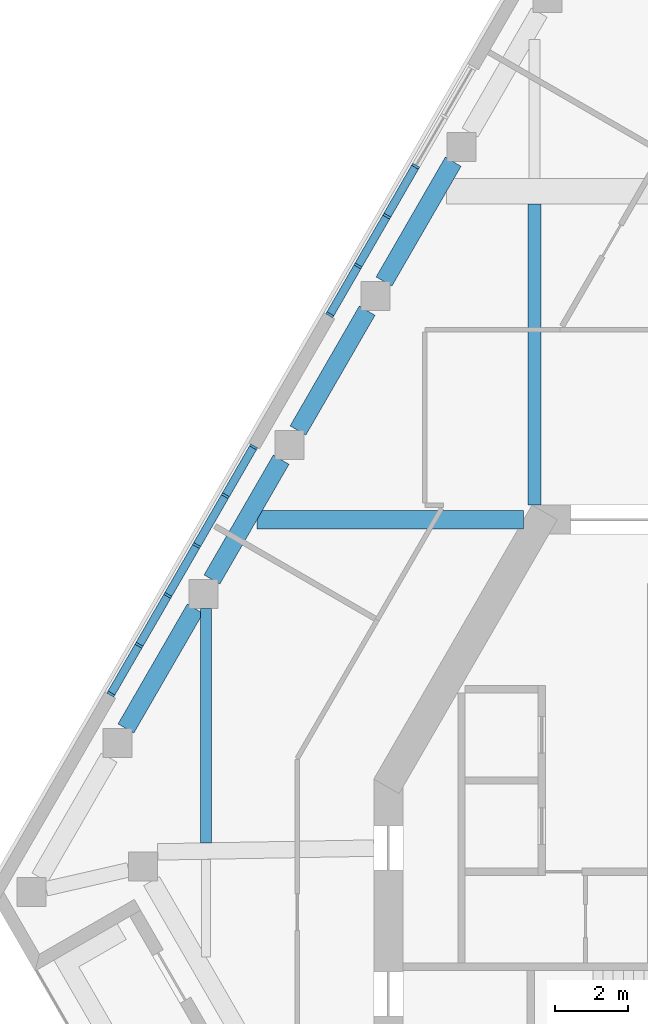
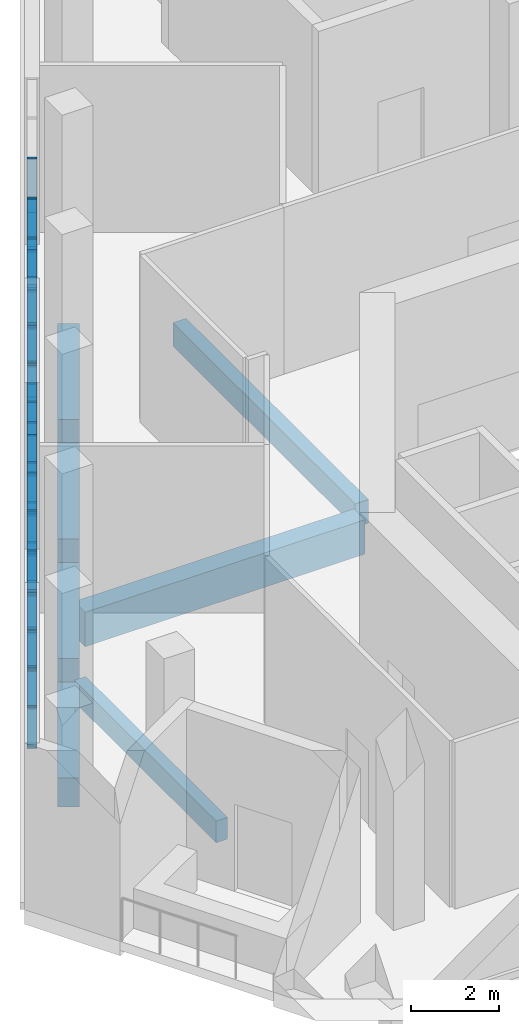
# One storey, part 2 of 13: 55 members, 7 beams, 2 elements without a shape of their own.
"""IFC4 building model written with IfcOpenShell, lengths in metres."""

from ifc_helpers import new_model, si_unit, direction, frame, origin, origin_2d, place, context, subcontext, project, spatial, rectangle, extrude, material, material_profile, profile_set, type_object, element, aggregate, save


model = new_model("IFC4")

# Units and contexts
model_context = context("Model", 3, precision=1e-05, world=origin(), true_north=direction((0.0, 1.0)))
body_context = subcontext(model_context, "Body", "Model", "MODEL_VIEW")
ifc_project = project(units=[si_unit("LENGTHUNIT", "METRE"), si_unit("AREAUNIT", "SQUARE_METRE"), si_unit("VOLUMEUNIT", "CUBIC_METRE"), si_unit("PLANEANGLEUNIT", "RADIAN"), si_unit("MASSUNIT", "GRAM", prefix="KILO")], contexts=[model_context])

# Site, building, storey
site_placement = place(None, origin())
site = spatial("IfcSite", under=ifc_project, at=site_placement, CompositionType="ELEMENT")
building_placement = place(site_placement, origin())
building = spatial("IfcBuilding", under=site, at=building_placement, Name="Fogline Exchange Tower", CompositionType="ELEMENT")
storey_placement = place(building_placement, frame((0.0, 0.0, 339.300048828125)))
storey = spatial("IfcBuildingStorey", under=building, at=storey_placement, Name="L77", CompositionType="ELEMENT", Elevation=339.300048828125)

# Beams
ifc_material_1 = material(Name="Concrete C40", Category="concrete")
ifc_material_profile_1 = material_profile(ifc_material_1, rectangle(XDim=0.300048828125, YDim=0.60009765625, at=origin_2d()), Name="RC 300x600")
ifc_profile_set_1 = profile_set([ifc_material_profile_1], Name="Concrete C40")
beam_type_1 = type_object("IfcBeamType", Name="B06", PredefinedType="BEAM", material=ifc_profile_set_1)
beam_1_placement = place(storey_placement, frame((-18.0, 9.1435546875, -0.699951171875), z_axis=(0.0, 1.0, 0.0), x_axis=(-1.0, 0.0, 0.0)))
element("IfcBeam", 1, at=beam_1_placement, inside=storey, type_object=beam_type_1, Name="SB002", PredefinedType="BEAM", context=body_context, shape_type="SweptSolid", body=[
    extrude(rectangle(XDim=0.300048828125, YDim=0.60009765625, at=origin_2d()), origin(), (0.0, 0.0, 1.0), 6.416259765625),
])
ifc_material_profile_2 = material_profile(ifc_material_1, rectangle(XDim=0.5, YDim=0.800048828125, at=origin_2d()), Name="RC 500x800")
ifc_profile_set_2 = profile_set([ifc_material_profile_2], Name="Concrete C40")
beam_type_2 = type_object("IfcBeamType", Name="B10", PredefinedType="BEAM", material=ifc_profile_set_2)
beam_2_placement = place(storey_placement, frame((-11.22509765625, 27.80810546875, -0.800048828125), z_axis=(-0.500045805297, -0.865998956469, 0.0), x_axis=(0.865998956469, -0.500045805297, 0.0)))
element("IfcBeam", 2, at=beam_2_placement, inside=storey, type_object=beam_type_2, Name="RB023", PredefinedType="BEAM", context=body_context, shape_type="SweptSolid", body=[
    extrude(rectangle(XDim=0.5, YDim=0.800048828125, at=origin_2d()), origin(), (0.0, 0.0, 1.0), 3.790771484375),
])
for number, where, z_axis, x_axis, name in (
    (3, (-13.58251953125, 23.725341796875, -0.800048828125), (-0.499997501644, -0.866026846206, 0.0), (0.866026846206, -0.499997501644, 0.0), "RB024"),
    (4, (-15.939697265625, 19.642578125, -0.800048828125), (-0.499997501644, -0.866026846206, 0.0), (0.866026846206, -0.499997501644, 0.0), "RB025"),
    (5, (-18.296875, 15.559814453125, -0.800048828125), (-0.499997501644, -0.866026846206, 0.0), (0.866026846206, -0.499997501644, 0.0), "RB026"),
):
    element("IfcBeam", number, at=place(storey_placement, frame(where, z_axis=z_axis, x_axis=x_axis)), inside=storey, type_object=beam_type_2, Name=name, PredefinedType="BEAM", context=body_context, shape_type="SweptSolid", body=[
        extrude(rectangle(XDim=0.5, YDim=0.800048828125, at=origin_2d()), origin(), (0.0, 0.0, 1.0), 3.79052734375),
    ])
ifc_material_profile_3 = material_profile(ifc_material_1, rectangle(XDim=0.5, YDim=0.949951171875, at=origin_2d()), Name="RC 500x950")
ifc_profile_set_3 = profile_set([ifc_material_profile_3], Name="Concrete C40")
beam_type_3 = type_object("IfcBeamType", Name="B14", PredefinedType="BEAM", material=ifc_profile_set_3)
beam_3_placement = place(storey_placement, frame((-16.599365234375, 18.0, -0.875), z_axis=(1.0, 0.0, 0.0), x_axis=(0.0, 1.0, 0.0)))
element("IfcBeam", 6, at=beam_3_placement, inside=storey, type_object=beam_type_3, Name="GB003", PredefinedType="BEAM", context=body_context, shape_type="SweptSolid", body=[
    extrude(rectangle(XDim=0.5, YDim=0.949951171875, at=origin_2d()), origin(), (0.0, 0.0, 1.0), 7.30322265625),
])
ifc_material_profile_4 = material_profile(ifc_material_1, rectangle(XDim=0.35009765625, YDim=0.64990234375, at=origin_2d()), Name="RC 350x650")
ifc_profile_set_4 = profile_set([ifc_material_profile_4], Name="Concrete C40")
beam_type_4 = type_object("IfcBeamType", Name="B16", PredefinedType="BEAM", material=ifc_profile_set_4)
beam_4_placement = place(storey_placement, frame((-9.0, 18.39990234375, -0.72509765625), z_axis=(0.0, 1.0, 0.0), x_axis=(-1.0, 0.0, 0.0)))
element("IfcBeam", 7, at=beam_4_placement, inside=storey, type_object=beam_type_4, Name="SB003", PredefinedType="BEAM", context=body_context, shape_type="SweptSolid", body=[
    extrude(rectangle(XDim=0.35009765625, YDim=0.64990234375, at=origin_2d()), origin(), (0.0, 0.0, 1.0), 8.25),
])

# Curtain wall, members
ifc_material_2 = material(Name="Aluminium and glass", Category="aluminium")
curtain_wall_type = type_object("IfcCurtainWallType", Name="CW5", PredefinedType="NOTDEFINED", material=ifc_material_2)
curtain_wall_1_placement = place(storey_placement, origin())
curtain_wall_1 = element("IfcCurtainWall", 8, at=curtain_wall_1_placement, inside=storey, type_object=curtain_wall_type, Name="CW5 L77 W run 2", PredefinedType="NOTDEFINED")
ifc_material_3 = material(Name="Aluminium", Category="aluminium")
ifc_material_profile_5 = material_profile(ifc_material_3, rectangle(XDim=0.219970703125, YDim=0.06494140625, at=origin_2d()), Name="Mullion 65x220")
ifc_profile_set_5 = profile_set([ifc_material_profile_5], Name="Aluminium")
member_type_1 = type_object("IfcMemberType", Name="CW5-M", PredefinedType="MULLION", material=ifc_profile_set_5)
member_1_placement = place(storey_placement, frame((-12.256103515625, 27.682861328125, 0.0), z_axis=(0.0, 0.0, 1.0), x_axis=(0.866025393993, -0.500000016959, 0.0)))
member_1 = element("IfcMember", 9, at=member_1_placement, type_object=member_type_1, Name="CW5-T25-07 mullion 3", PredefinedType="MULLION", context=body_context, shape_type="SweptSolid", body=[
    extrude(rectangle(XDim=0.219970703125, YDim=0.06494140625, at=origin_2d()), origin(), (0.0, 0.0, 1.0), 4.599853515625),
])
member_2_placement = place(storey_placement, frame((-13.04443359375, 26.317138671875, 0.0), z_axis=(0.0, 0.0, 1.0), x_axis=(0.866025393993, -0.500000016959, 0.0)))
member_2 = element("IfcMember", 10, at=member_2_placement, type_object=member_type_1, Name="CW5-T25-07 mullion 4", PredefinedType="MULLION", context=body_context, shape_type="SweptSolid", body=[
    extrude(rectangle(XDim=0.219970703125, YDim=0.06494140625, at=origin_2d()), origin(), (0.0, 0.0, 1.0), 4.599853515625),
])
member_3_placement = place(storey_placement, frame((-13.8330078125, 24.951416015625, 0.0), z_axis=(0.0, 0.0, 1.0), x_axis=(0.866025393993, -0.500000016959, 0.0)))
member_3 = element("IfcMember", 11, at=member_3_placement, type_object=member_type_1, Name="CW5-T25-07 mullion 5", PredefinedType="MULLION", context=body_context, shape_type="SweptSolid", body=[
    extrude(rectangle(XDim=0.219970703125, YDim=0.06494140625, at=origin_2d()), origin(), (0.0, 0.0, 1.0), 4.599853515625),
])
member_4_placement = place(storey_placement, frame((-14.605224609375, 23.61376953125, 0.0), z_axis=(0.0, 0.0, 1.0), x_axis=(0.866025393993, -0.500000016959, 0.0)))
member_4 = element("IfcMember", 12, at=member_4_placement, type_object=member_type_1, Name="CW5-T25-07 mullion 6", PredefinedType="MULLION", context=body_context, shape_type="SweptSolid", body=[
    extrude(rectangle(XDim=0.219970703125, YDim=0.06494140625, at=origin_2d()), origin(), (0.0, 0.0, 1.0), 4.599853515625),
])

curtain_wall_2_placement = place(storey_placement, origin())
curtain_wall_2 = element("IfcCurtainWall", 13, at=curtain_wall_2_placement, inside=storey, type_object=curtain_wall_type, Name="CW5 L77 W run 3", PredefinedType="NOTDEFINED")
member_5_placement = place(storey_placement, frame((-16.6953125, 19.993896484375, 0.0), z_axis=(0.0, 0.0, 1.0), x_axis=(0.866025393993, -0.500000016959, 0.0)))
member_5 = element("IfcMember", 14, at=member_5_placement, type_object=member_type_1, Name="CW5-T25-08 mullion 1", PredefinedType="MULLION", context=body_context, shape_type="SweptSolid", body=[
    extrude(rectangle(XDim=0.219970703125, YDim=0.06494140625, at=origin_2d()), origin(), (0.0, 0.0, 1.0), 4.599853515625),
])
member_6_placement = place(storey_placement, frame((-17.467529296875, 18.65625, 0.0), z_axis=(0.0, 0.0, 1.0), x_axis=(0.866025393993, -0.500000016959, 0.0)))
member_6 = element("IfcMember", 15, at=member_6_placement, type_object=member_type_1, Name="CW5-T25-08 mullion 2", PredefinedType="MULLION", context=body_context, shape_type="SweptSolid", body=[
    extrude(rectangle(XDim=0.219970703125, YDim=0.06494140625, at=origin_2d()), origin(), (0.0, 0.0, 1.0), 4.599853515625),
])
member_7_placement = place(storey_placement, frame((-18.256103515625, 17.29052734375, 0.0), z_axis=(0.0, 0.0, 1.0), x_axis=(0.866025393993, -0.500000016959, 0.0)))
member_7 = element("IfcMember", 16, at=member_7_placement, type_object=member_type_1, Name="CW5-T25-08 mullion 3", PredefinedType="MULLION", context=body_context, shape_type="SweptSolid", body=[
    extrude(rectangle(XDim=0.219970703125, YDim=0.06494140625, at=origin_2d()), origin(), (0.0, 0.0, 1.0), 4.599853515625),
])
member_8_placement = place(storey_placement, frame((-19.04443359375, 15.9248046875, 0.0), z_axis=(0.0, 0.0, 1.0), x_axis=(0.866025393993, -0.500000016959, 0.0)))
member_8 = element("IfcMember", 17, at=member_8_placement, type_object=member_type_1, Name="CW5-T25-08 mullion 4", PredefinedType="MULLION", context=body_context, shape_type="SweptSolid", body=[
    extrude(rectangle(XDim=0.219970703125, YDim=0.06494140625, at=origin_2d()), origin(), (0.0, 0.0, 1.0), 4.599853515625),
])
member_9_placement = place(storey_placement, frame((-19.8330078125, 14.55908203125, 0.0), z_axis=(0.0, 0.0, 1.0), x_axis=(0.866025393993, -0.500000016959, 0.0)))
member_9 = element("IfcMember", 18, at=member_9_placement, type_object=member_type_1, Name="CW5-T25-08 mullion 5", PredefinedType="MULLION", context=body_context, shape_type="SweptSolid", body=[
    extrude(rectangle(XDim=0.219970703125, YDim=0.06494140625, at=origin_2d()), origin(), (0.0, 0.0, 1.0), 4.599853515625),
])
member_10_placement = place(storey_placement, frame((-20.605224609375, 13.221435546875, 0.0), z_axis=(0.0, 0.0, 1.0), x_axis=(0.866025393993, -0.500000016959, 0.0)))
member_10 = element("IfcMember", 19, at=member_10_placement, type_object=member_type_1, Name="CW5-T25-08 mullion 6", PredefinedType="MULLION", context=body_context, shape_type="SweptSolid", body=[
    extrude(rectangle(XDim=0.219970703125, YDim=0.06494140625, at=origin_2d()), origin(), (0.0, 0.0, 1.0), 4.599853515625),
])

# Member
ifc_material_profile_6 = material_profile(ifc_material_3, rectangle(XDim=0.219970703125, YDim=0.080078125, at=origin_2d()), Name="Transom 80x220")
ifc_profile_set_6 = profile_set([ifc_material_profile_6], Name="Aluminium")
member_type_2 = type_object("IfcMemberType", Name="CW5-T", PredefinedType="USERDEFINED", material=ifc_profile_set_6)
member_11_placement = place(storey_placement, frame((-12.272216796875, 27.654541015625, 0.0400390625), z_axis=(-0.500081199194, -0.865978518332, 0.0), x_axis=(0.865978518332, -0.500081199194, 0.0)))
member_11 = element("IfcMember", 20, at=member_11_placement, type_object=member_type_2, Name="CW5-T25-07 transom 3.1", ObjectType="TRANSOM", PredefinedType="USERDEFINED", context=body_context, shape_type="SweptSolid", body=[
    extrude(rectangle(XDim=0.219970703125, YDim=0.080078125, at=origin_2d()), origin(), (0.0, 0.0, 1.0), 1.511962890625),
])

member_12_placement = place(storey_placement, frame((-12.272216796875, 27.654541015625, 1.099853515625), z_axis=(-0.500081199194, -0.865978518332, 0.0), x_axis=(0.865978518332, -0.500081199194, 0.0)))
member_12 = element("IfcMember", 21, at=member_12_placement, type_object=member_type_2, Name="CW5-T25-07 transom 3.2", ObjectType="TRANSOM", PredefinedType="USERDEFINED", context=body_context, shape_type="SweptSolid", body=[
    extrude(rectangle(XDim=0.219970703125, YDim=0.080078125, at=origin_2d()), origin(), (0.0, 0.0, 1.0), 1.511962890625),
])

member_13_placement = place(storey_placement, frame((-12.272216796875, 27.654541015625, 2.13330078125), z_axis=(-0.500081199194, -0.865978518332, 0.0), x_axis=(0.865978518332, -0.500081199194, 0.0)))
member_13 = element("IfcMember", 22, at=member_13_placement, type_object=member_type_2, Name="CW5-T25-07 transom 3.3", ObjectType="TRANSOM", PredefinedType="USERDEFINED", context=body_context, shape_type="SweptSolid", body=[
    extrude(rectangle(XDim=0.219970703125, YDim=0.080078125, at=origin_2d()), origin(), (0.0, 0.0, 1.0), 1.511962890625),
])

member_14_placement = place(storey_placement, frame((-13.060791015625, 26.288818359375, 0.0400390625), z_axis=(-0.500081199194, -0.865978518332, 0.0), x_axis=(0.865978518332, -0.500081199194, 0.0)))
member_14 = element("IfcMember", 23, at=member_14_placement, type_object=member_type_2, Name="CW5-T25-07 transom 4.1", ObjectType="TRANSOM", PredefinedType="USERDEFINED", context=body_context, shape_type="SweptSolid", body=[
    extrude(rectangle(XDim=0.219970703125, YDim=0.080078125, at=origin_2d()), origin(), (0.0, 0.0, 1.0), 1.511962890625),
])

member_15_placement = place(storey_placement, frame((-13.060791015625, 26.288818359375, 1.099853515625), z_axis=(-0.500081199194, -0.865978518332, 0.0), x_axis=(0.865978518332, -0.500081199194, 0.0)))
member_15 = element("IfcMember", 24, at=member_15_placement, type_object=member_type_2, Name="CW5-T25-07 transom 4.2", ObjectType="TRANSOM", PredefinedType="USERDEFINED", context=body_context, shape_type="SweptSolid", body=[
    extrude(rectangle(XDim=0.219970703125, YDim=0.080078125, at=origin_2d()), origin(), (0.0, 0.0, 1.0), 1.511962890625),
])

member_16_placement = place(storey_placement, frame((-13.060791015625, 26.288818359375, 2.13330078125), z_axis=(-0.500081199194, -0.865978518332, 0.0), x_axis=(0.865978518332, -0.500081199194, 0.0)))
member_16 = element("IfcMember", 25, at=member_16_placement, type_object=member_type_2, Name="CW5-T25-07 transom 4.3", ObjectType="TRANSOM", PredefinedType="USERDEFINED", context=body_context, shape_type="SweptSolid", body=[
    extrude(rectangle(XDim=0.219970703125, YDim=0.080078125, at=origin_2d()), origin(), (0.0, 0.0, 1.0), 1.511962890625),
])

member_17_placement = place(storey_placement, frame((-13.060791015625, 26.288818359375, 3.166748046875), z_axis=(-0.500081199194, -0.865978518332, 0.0), x_axis=(0.865978518332, -0.500081199194, 0.0)))
member_17 = element("IfcMember", 26, at=member_17_placement, type_object=member_type_2, Name="CW5-T25-07 transom 4.4", ObjectType="TRANSOM", PredefinedType="USERDEFINED", context=body_context, shape_type="SweptSolid", body=[
    extrude(rectangle(XDim=0.219970703125, YDim=0.080078125, at=origin_2d()), origin(), (0.0, 0.0, 1.0), 1.511962890625),
])

member_18_placement = place(storey_placement, frame((-13.060791015625, 26.288818359375, 4.199951171875), z_axis=(-0.500081199194, -0.865978518332, 0.0), x_axis=(0.865978518332, -0.500081199194, 0.0)))
member_18 = element("IfcMember", 27, at=member_18_placement, type_object=member_type_2, Name="CW5-T25-07 transom 4.5", ObjectType="TRANSOM", PredefinedType="USERDEFINED", context=body_context, shape_type="SweptSolid", body=[
    extrude(rectangle(XDim=0.219970703125, YDim=0.080078125, at=origin_2d()), origin(), (0.0, 0.0, 1.0), 1.511962890625),
])

member_19_placement = place(storey_placement, frame((-13.060791015625, 26.288818359375, 4.56005859375), z_axis=(-0.500081199194, -0.865978518332, 0.0), x_axis=(0.865978518332, -0.500081199194, 0.0)))
member_19 = element("IfcMember", 28, at=member_19_placement, type_object=member_type_2, Name="CW5-T25-07 transom 4.6", ObjectType="TRANSOM", PredefinedType="USERDEFINED", context=body_context, shape_type="SweptSolid", body=[
    extrude(rectangle(XDim=0.219970703125, YDim=0.080078125, at=origin_2d()), origin(), (0.0, 0.0, 1.0), 1.511962890625),
])

member_20_placement = place(storey_placement, frame((-13.849365234375, 24.923095703125, 0.0400390625), z_axis=(-0.500008142102, -0.866020702889, 0.0), x_axis=(0.866020702889, -0.500008142102, 0.0)))
member_20 = element("IfcMember", 29, at=member_20_placement, type_object=member_type_2, Name="CW5-T25-07 transom 5.1", ObjectType="TRANSOM", PredefinedType="USERDEFINED", context=body_context, shape_type="SweptSolid", body=[
    extrude(rectangle(XDim=0.219970703125, YDim=0.080078125, at=origin_2d()), origin(), (0.0, 0.0, 1.0), 1.4794921875),
])

member_21_placement = place(storey_placement, frame((-13.849365234375, 24.923095703125, 1.099853515625), z_axis=(-0.500008142102, -0.866020702889, 0.0), x_axis=(0.866020702889, -0.500008142102, 0.0)))
member_21 = element("IfcMember", 30, at=member_21_placement, type_object=member_type_2, Name="CW5-T25-07 transom 5.2", ObjectType="TRANSOM", PredefinedType="USERDEFINED", context=body_context, shape_type="SweptSolid", body=[
    extrude(rectangle(XDim=0.219970703125, YDim=0.080078125, at=origin_2d()), origin(), (0.0, 0.0, 1.0), 1.4794921875),
])

member_22_placement = place(storey_placement, frame((-13.849365234375, 24.923095703125, 2.13330078125), z_axis=(-0.500008142102, -0.866020702889, 0.0), x_axis=(0.866020702889, -0.500008142102, 0.0)))
member_22 = element("IfcMember", 31, at=member_22_placement, type_object=member_type_2, Name="CW5-T25-07 transom 5.3", ObjectType="TRANSOM", PredefinedType="USERDEFINED", context=body_context, shape_type="SweptSolid", body=[
    extrude(rectangle(XDim=0.219970703125, YDim=0.080078125, at=origin_2d()), origin(), (0.0, 0.0, 1.0), 1.4794921875),
])

member_23_placement = place(storey_placement, frame((-13.849365234375, 24.923095703125, 3.166748046875), z_axis=(-0.500008142102, -0.866020702889, 0.0), x_axis=(0.866020702889, -0.500008142102, 0.0)))
member_23 = element("IfcMember", 32, at=member_23_placement, type_object=member_type_2, Name="CW5-T25-07 transom 5.4", ObjectType="TRANSOM", PredefinedType="USERDEFINED", context=body_context, shape_type="SweptSolid", body=[
    extrude(rectangle(XDim=0.219970703125, YDim=0.080078125, at=origin_2d()), origin(), (0.0, 0.0, 1.0), 1.4794921875),
])

member_24_placement = place(storey_placement, frame((-13.849365234375, 24.923095703125, 4.199951171875), z_axis=(-0.500008142102, -0.866020702889, 0.0), x_axis=(0.866020702889, -0.500008142102, 0.0)))
member_24 = element("IfcMember", 33, at=member_24_placement, type_object=member_type_2, Name="CW5-T25-07 transom 5.5", ObjectType="TRANSOM", PredefinedType="USERDEFINED", context=body_context, shape_type="SweptSolid", body=[
    extrude(rectangle(XDim=0.219970703125, YDim=0.080078125, at=origin_2d()), origin(), (0.0, 0.0, 1.0), 1.4794921875),
])

member_25_placement = place(storey_placement, frame((-13.849365234375, 24.923095703125, 4.56005859375), z_axis=(-0.500008142102, -0.866020702889, 0.0), x_axis=(0.866020702889, -0.500008142102, 0.0)))
member_25 = element("IfcMember", 34, at=member_25_placement, type_object=member_type_2, Name="CW5-T25-07 transom 5.6", ObjectType="TRANSOM", PredefinedType="USERDEFINED", context=body_context, shape_type="SweptSolid", body=[
    extrude(rectangle(XDim=0.219970703125, YDim=0.080078125, at=origin_2d()), origin(), (0.0, 0.0, 1.0), 1.4794921875),
])

aggregate(curtain_wall_1, [member_1, member_2, member_3, member_4, member_11, member_12, member_13, member_14, member_15, member_16, member_17, member_18, member_19, member_20, member_21, member_22, member_23, member_24, member_25])

member_26_placement = place(storey_placement, frame((-16.71142578125, 19.965576171875, 0.0400390625), z_axis=(-0.500008142102, -0.866020702889, 0.0), x_axis=(0.866020702889, -0.500008142102, 0.0)))
member_26 = element("IfcMember", 35, at=member_26_placement, type_object=member_type_2, Name="CW5-T25-08 transom 1.1", ObjectType="TRANSOM", PredefinedType="USERDEFINED", context=body_context, shape_type="SweptSolid", body=[
    extrude(rectangle(XDim=0.219970703125, YDim=0.080078125, at=origin_2d()), origin(), (0.0, 0.0, 1.0), 1.4794921875),
])

member_27_placement = place(storey_placement, frame((-16.71142578125, 19.965576171875, 1.099853515625), z_axis=(-0.500008142102, -0.866020702889, 0.0), x_axis=(0.866020702889, -0.500008142102, 0.0)))
member_27 = element("IfcMember", 36, at=member_27_placement, type_object=member_type_2, Name="CW5-T25-08 transom 1.2", ObjectType="TRANSOM", PredefinedType="USERDEFINED", context=body_context, shape_type="SweptSolid", body=[
    extrude(rectangle(XDim=0.219970703125, YDim=0.080078125, at=origin_2d()), origin(), (0.0, 0.0, 1.0), 1.4794921875),
])

member_28_placement = place(storey_placement, frame((-16.71142578125, 19.965576171875, 2.13330078125), z_axis=(-0.500008142102, -0.866020702889, 0.0), x_axis=(0.866020702889, -0.500008142102, 0.0)))
member_28 = element("IfcMember", 37, at=member_28_placement, type_object=member_type_2, Name="CW5-T25-08 transom 1.3", ObjectType="TRANSOM", PredefinedType="USERDEFINED", context=body_context, shape_type="SweptSolid", body=[
    extrude(rectangle(XDim=0.219970703125, YDim=0.080078125, at=origin_2d()), origin(), (0.0, 0.0, 1.0), 1.4794921875),
])

member_29_placement = place(storey_placement, frame((-16.71142578125, 19.965576171875, 3.166748046875), z_axis=(-0.500008142102, -0.866020702889, 0.0), x_axis=(0.866020702889, -0.500008142102, 0.0)))
member_29 = element("IfcMember", 38, at=member_29_placement, type_object=member_type_2, Name="CW5-T25-08 transom 1.4", ObjectType="TRANSOM", PredefinedType="USERDEFINED", context=body_context, shape_type="SweptSolid", body=[
    extrude(rectangle(XDim=0.219970703125, YDim=0.080078125, at=origin_2d()), origin(), (0.0, 0.0, 1.0), 1.4794921875),
])

member_30_placement = place(storey_placement, frame((-16.71142578125, 19.965576171875, 4.199951171875), z_axis=(-0.500008142102, -0.866020702889, 0.0), x_axis=(0.866020702889, -0.500008142102, 0.0)))
member_30 = element("IfcMember", 39, at=member_30_placement, type_object=member_type_2, Name="CW5-T25-08 transom 1.5", ObjectType="TRANSOM", PredefinedType="USERDEFINED", context=body_context, shape_type="SweptSolid", body=[
    extrude(rectangle(XDim=0.219970703125, YDim=0.080078125, at=origin_2d()), origin(), (0.0, 0.0, 1.0), 1.4794921875),
])

member_31_placement = place(storey_placement, frame((-16.71142578125, 19.965576171875, 4.56005859375), z_axis=(-0.500008142102, -0.866020702889, 0.0), x_axis=(0.866020702889, -0.500008142102, 0.0)))
member_31 = element("IfcMember", 40, at=member_31_placement, type_object=member_type_2, Name="CW5-T25-08 transom 1.6", ObjectType="TRANSOM", PredefinedType="USERDEFINED", context=body_context, shape_type="SweptSolid", body=[
    extrude(rectangle(XDim=0.219970703125, YDim=0.080078125, at=origin_2d()), origin(), (0.0, 0.0, 1.0), 1.4794921875),
])

member_32_placement = place(storey_placement, frame((-17.48388671875, 18.628173828125, 0.0400390625), z_axis=(-0.499890179513, -0.866088799389, 0.0), x_axis=(0.866088799389, -0.499890179513, 0.0)))
member_32 = element("IfcMember", 41, at=member_32_placement, type_object=member_type_2, Name="CW5-T25-08 transom 2.1", ObjectType="TRANSOM", PredefinedType="USERDEFINED", context=body_context, shape_type="SweptSolid", body=[
    extrude(rectangle(XDim=0.219970703125, YDim=0.080078125, at=origin_2d()), origin(), (0.0, 0.0, 1.0), 1.511962890625),
])

member_33_placement = place(storey_placement, frame((-17.48388671875, 18.628173828125, 1.099853515625), z_axis=(-0.499890179513, -0.866088799389, 0.0), x_axis=(0.866088799389, -0.499890179513, 0.0)))
member_33 = element("IfcMember", 42, at=member_33_placement, type_object=member_type_2, Name="CW5-T25-08 transom 2.2", ObjectType="TRANSOM", PredefinedType="USERDEFINED", context=body_context, shape_type="SweptSolid", body=[
    extrude(rectangle(XDim=0.219970703125, YDim=0.080078125, at=origin_2d()), origin(), (0.0, 0.0, 1.0), 1.511962890625),
])

member_34_placement = place(storey_placement, frame((-17.48388671875, 18.628173828125, 2.13330078125), z_axis=(-0.499890179513, -0.866088799389, 0.0), x_axis=(0.866088799389, -0.499890179513, 0.0)))
member_34 = element("IfcMember", 43, at=member_34_placement, type_object=member_type_2, Name="CW5-T25-08 transom 2.3", ObjectType="TRANSOM", PredefinedType="USERDEFINED", context=body_context, shape_type="SweptSolid", body=[
    extrude(rectangle(XDim=0.219970703125, YDim=0.080078125, at=origin_2d()), origin(), (0.0, 0.0, 1.0), 1.511962890625),
])

member_35_placement = place(storey_placement, frame((-17.48388671875, 18.628173828125, 3.166748046875), z_axis=(-0.499890179513, -0.866088799389, 0.0), x_axis=(0.866088799389, -0.499890179513, 0.0)))
member_35 = element("IfcMember", 44, at=member_35_placement, type_object=member_type_2, Name="CW5-T25-08 transom 2.4", ObjectType="TRANSOM", PredefinedType="USERDEFINED", context=body_context, shape_type="SweptSolid", body=[
    extrude(rectangle(XDim=0.219970703125, YDim=0.080078125, at=origin_2d()), origin(), (0.0, 0.0, 1.0), 1.511962890625),
])

member_36_placement = place(storey_placement, frame((-17.48388671875, 18.628173828125, 4.199951171875), z_axis=(-0.499890179513, -0.866088799389, 0.0), x_axis=(0.866088799389, -0.499890179513, 0.0)))
member_36 = element("IfcMember", 45, at=member_36_placement, type_object=member_type_2, Name="CW5-T25-08 transom 2.5", ObjectType="TRANSOM", PredefinedType="USERDEFINED", context=body_context, shape_type="SweptSolid", body=[
    extrude(rectangle(XDim=0.219970703125, YDim=0.080078125, at=origin_2d()), origin(), (0.0, 0.0, 1.0), 1.511962890625),
])

member_37_placement = place(storey_placement, frame((-17.48388671875, 18.628173828125, 4.56005859375), z_axis=(-0.499890179513, -0.866088799389, 0.0), x_axis=(0.866088799389, -0.499890179513, 0.0)))
member_37 = element("IfcMember", 46, at=member_37_placement, type_object=member_type_2, Name="CW5-T25-08 transom 2.6", ObjectType="TRANSOM", PredefinedType="USERDEFINED", context=body_context, shape_type="SweptSolid", body=[
    extrude(rectangle(XDim=0.219970703125, YDim=0.080078125, at=origin_2d()), origin(), (0.0, 0.0, 1.0), 1.511962890625),
])

member_38_placement = place(storey_placement, frame((-18.272216796875, 17.262451171875, 0.0400390625), z_axis=(-0.500011280007, -0.866018891171, 0.0), x_axis=(0.866018891171, -0.500011280007, 0.0)))
member_38 = element("IfcMember", 47, at=member_38_placement, type_object=member_type_2, Name="CW5-T25-08 transom 3.1", ObjectType="TRANSOM", PredefinedType="USERDEFINED", context=body_context, shape_type="SweptSolid", body=[
    extrude(rectangle(XDim=0.219970703125, YDim=0.080078125, at=origin_2d()), origin(), (0.0, 0.0, 1.0), 1.51220703125),
])

member_39_placement = place(storey_placement, frame((-18.272216796875, 17.262451171875, 1.099853515625), z_axis=(-0.500011280007, -0.866018891171, 0.0), x_axis=(0.866018891171, -0.500011280007, 0.0)))
member_39 = element("IfcMember", 48, at=member_39_placement, type_object=member_type_2, Name="CW5-T25-08 transom 3.2", ObjectType="TRANSOM", PredefinedType="USERDEFINED", context=body_context, shape_type="SweptSolid", body=[
    extrude(rectangle(XDim=0.219970703125, YDim=0.080078125, at=origin_2d()), origin(), (0.0, 0.0, 1.0), 1.51220703125),
])

member_40_placement = place(storey_placement, frame((-18.272216796875, 17.262451171875, 2.13330078125), z_axis=(-0.500011280007, -0.866018891171, 0.0), x_axis=(0.866018891171, -0.500011280007, 0.0)))
member_40 = element("IfcMember", 49, at=member_40_placement, type_object=member_type_2, Name="CW5-T25-08 transom 3.3", ObjectType="TRANSOM", PredefinedType="USERDEFINED", context=body_context, shape_type="SweptSolid", body=[
    extrude(rectangle(XDim=0.219970703125, YDim=0.080078125, at=origin_2d()), origin(), (0.0, 0.0, 1.0), 1.51220703125),
])

member_41_placement = place(storey_placement, frame((-18.272216796875, 17.262451171875, 3.166748046875), z_axis=(-0.500011280007, -0.866018891171, 0.0), x_axis=(0.866018891171, -0.500011280007, 0.0)))
member_41 = element("IfcMember", 50, at=member_41_placement, type_object=member_type_2, Name="CW5-T25-08 transom 3.4", ObjectType="TRANSOM", PredefinedType="USERDEFINED", context=body_context, shape_type="SweptSolid", body=[
    extrude(rectangle(XDim=0.219970703125, YDim=0.080078125, at=origin_2d()), origin(), (0.0, 0.0, 1.0), 1.51220703125),
])

member_42_placement = place(storey_placement, frame((-18.272216796875, 17.262451171875, 4.199951171875), z_axis=(-0.500011280007, -0.866018891171, 0.0), x_axis=(0.866018891171, -0.500011280007, 0.0)))
member_42 = element("IfcMember", 51, at=member_42_placement, type_object=member_type_2, Name="CW5-T25-08 transom 3.5", ObjectType="TRANSOM", PredefinedType="USERDEFINED", context=body_context, shape_type="SweptSolid", body=[
    extrude(rectangle(XDim=0.219970703125, YDim=0.080078125, at=origin_2d()), origin(), (0.0, 0.0, 1.0), 1.51220703125),
])

member_43_placement = place(storey_placement, frame((-18.272216796875, 17.262451171875, 4.56005859375), z_axis=(-0.500011280007, -0.866018891171, 0.0), x_axis=(0.866018891171, -0.500011280007, 0.0)))
member_43 = element("IfcMember", 52, at=member_43_placement, type_object=member_type_2, Name="CW5-T25-08 transom 3.6", ObjectType="TRANSOM", PredefinedType="USERDEFINED", context=body_context, shape_type="SweptSolid", body=[
    extrude(rectangle(XDim=0.219970703125, YDim=0.080078125, at=origin_2d()), origin(), (0.0, 0.0, 1.0), 1.51220703125),
])

member_44_placement = place(storey_placement, frame((-19.060791015625, 15.896728515625, 0.0400390625), z_axis=(-0.500011280007, -0.866018891171, 0.0), x_axis=(0.866018891171, -0.500011280007, 0.0)))
member_44 = element("IfcMember", 53, at=member_44_placement, type_object=member_type_2, Name="CW5-T25-08 transom 4.1", ObjectType="TRANSOM", PredefinedType="USERDEFINED", context=body_context, shape_type="SweptSolid", body=[
    extrude(rectangle(XDim=0.219970703125, YDim=0.080078125, at=origin_2d()), origin(), (0.0, 0.0, 1.0), 1.51220703125),
])

member_45_placement = place(storey_placement, frame((-19.060791015625, 15.896728515625, 1.099853515625), z_axis=(-0.500011280007, -0.866018891171, 0.0), x_axis=(0.866018891171, -0.500011280007, 0.0)))
member_45 = element("IfcMember", 54, at=member_45_placement, type_object=member_type_2, Name="CW5-T25-08 transom 4.2", ObjectType="TRANSOM", PredefinedType="USERDEFINED", context=body_context, shape_type="SweptSolid", body=[
    extrude(rectangle(XDim=0.219970703125, YDim=0.080078125, at=origin_2d()), origin(), (0.0, 0.0, 1.0), 1.51220703125),
])

member_46_placement = place(storey_placement, frame((-19.060791015625, 15.896728515625, 2.13330078125), z_axis=(-0.500011280007, -0.866018891171, 0.0), x_axis=(0.866018891171, -0.500011280007, 0.0)))
member_46 = element("IfcMember", 55, at=member_46_placement, type_object=member_type_2, Name="CW5-T25-08 transom 4.3", ObjectType="TRANSOM", PredefinedType="USERDEFINED", context=body_context, shape_type="SweptSolid", body=[
    extrude(rectangle(XDim=0.219970703125, YDim=0.080078125, at=origin_2d()), origin(), (0.0, 0.0, 1.0), 1.51220703125),
])

member_47_placement = place(storey_placement, frame((-19.060791015625, 15.896728515625, 3.166748046875), z_axis=(-0.500011280007, -0.866018891171, 0.0), x_axis=(0.866018891171, -0.500011280007, 0.0)))
member_47 = element("IfcMember", 56, at=member_47_placement, type_object=member_type_2, Name="CW5-T25-08 transom 4.4", ObjectType="TRANSOM", PredefinedType="USERDEFINED", context=body_context, shape_type="SweptSolid", body=[
    extrude(rectangle(XDim=0.219970703125, YDim=0.080078125, at=origin_2d()), origin(), (0.0, 0.0, 1.0), 1.51220703125),
])

member_48_placement = place(storey_placement, frame((-19.060791015625, 15.896728515625, 4.199951171875), z_axis=(-0.500011280007, -0.866018891171, 0.0), x_axis=(0.866018891171, -0.500011280007, 0.0)))
member_48 = element("IfcMember", 57, at=member_48_placement, type_object=member_type_2, Name="CW5-T25-08 transom 4.5", ObjectType="TRANSOM", PredefinedType="USERDEFINED", context=body_context, shape_type="SweptSolid", body=[
    extrude(rectangle(XDim=0.219970703125, YDim=0.080078125, at=origin_2d()), origin(), (0.0, 0.0, 1.0), 1.51220703125),
])

member_49_placement = place(storey_placement, frame((-19.060791015625, 15.896728515625, 4.56005859375), z_axis=(-0.500011280007, -0.866018891171, 0.0), x_axis=(0.866018891171, -0.500011280007, 0.0)))
member_49 = element("IfcMember", 58, at=member_49_placement, type_object=member_type_2, Name="CW5-T25-08 transom 4.6", ObjectType="TRANSOM", PredefinedType="USERDEFINED", context=body_context, shape_type="SweptSolid", body=[
    extrude(rectangle(XDim=0.219970703125, YDim=0.080078125, at=origin_2d()), origin(), (0.0, 0.0, 1.0), 1.51220703125),
])

member_50_placement = place(storey_placement, frame((-19.849365234375, 14.531005859375, 0.0400390625), z_axis=(-0.499936694431, -0.866061950187, 0.0), x_axis=(0.866061950187, -0.499936694431, 0.0)))
member_50 = element("IfcMember", 59, at=member_50_placement, type_object=member_type_2, Name="CW5-T25-08 transom 5.1", ObjectType="TRANSOM", PredefinedType="USERDEFINED", context=body_context, shape_type="SweptSolid", body=[
    extrude(rectangle(XDim=0.219970703125, YDim=0.080078125, at=origin_2d()), origin(), (0.0, 0.0, 1.0), 1.479736328125),
])

member_51_placement = place(storey_placement, frame((-19.849365234375, 14.531005859375, 1.099853515625), z_axis=(-0.499936694431, -0.866061950187, 0.0), x_axis=(0.866061950187, -0.499936694431, 0.0)))
member_51 = element("IfcMember", 60, at=member_51_placement, type_object=member_type_2, Name="CW5-T25-08 transom 5.2", ObjectType="TRANSOM", PredefinedType="USERDEFINED", context=body_context, shape_type="SweptSolid", body=[
    extrude(rectangle(XDim=0.219970703125, YDim=0.080078125, at=origin_2d()), origin(), (0.0, 0.0, 1.0), 1.479736328125),
])

member_52_placement = place(storey_placement, frame((-19.849365234375, 14.531005859375, 2.13330078125), z_axis=(-0.499936694431, -0.866061950187, 0.0), x_axis=(0.866061950187, -0.499936694431, 0.0)))
member_52 = element("IfcMember", 61, at=member_52_placement, type_object=member_type_2, Name="CW5-T25-08 transom 5.3", ObjectType="TRANSOM", PredefinedType="USERDEFINED", context=body_context, shape_type="SweptSolid", body=[
    extrude(rectangle(XDim=0.219970703125, YDim=0.080078125, at=origin_2d()), origin(), (0.0, 0.0, 1.0), 1.479736328125),
])

member_53_placement = place(storey_placement, frame((-19.849365234375, 14.531005859375, 3.166748046875), z_axis=(-0.499936694431, -0.866061950187, 0.0), x_axis=(0.866061950187, -0.499936694431, 0.0)))
member_53 = element("IfcMember", 62, at=member_53_placement, type_object=member_type_2, Name="CW5-T25-08 transom 5.4", ObjectType="TRANSOM", PredefinedType="USERDEFINED", context=body_context, shape_type="SweptSolid", body=[
    extrude(rectangle(XDim=0.219970703125, YDim=0.080078125, at=origin_2d()), origin(), (0.0, 0.0, 1.0), 1.479736328125),
])

member_54_placement = place(storey_placement, frame((-19.849365234375, 14.531005859375, 4.199951171875), z_axis=(-0.499936694431, -0.866061950187, 0.0), x_axis=(0.866061950187, -0.499936694431, 0.0)))
member_54 = element("IfcMember", 63, at=member_54_placement, type_object=member_type_2, Name="CW5-T25-08 transom 5.5", ObjectType="TRANSOM", PredefinedType="USERDEFINED", context=body_context, shape_type="SweptSolid", body=[
    extrude(rectangle(XDim=0.219970703125, YDim=0.080078125, at=origin_2d()), origin(), (0.0, 0.0, 1.0), 1.479736328125),
])

member_55_placement = place(storey_placement, frame((-19.849365234375, 14.531005859375, 4.56005859375), z_axis=(-0.499936694431, -0.866061950187, 0.0), x_axis=(0.866061950187, -0.499936694431, 0.0)))
member_55 = element("IfcMember", 64, at=member_55_placement, type_object=member_type_2, Name="CW5-T25-08 transom 5.6", ObjectType="TRANSOM", PredefinedType="USERDEFINED", context=body_context, shape_type="SweptSolid", body=[
    extrude(rectangle(XDim=0.219970703125, YDim=0.080078125, at=origin_2d()), origin(), (0.0, 0.0, 1.0), 1.479736328125),
])

aggregate(curtain_wall_2, [member_5, member_6, member_7, member_8, member_9, member_10, member_26, member_27, member_28, member_29, member_30, member_31, member_32, member_33, member_34, member_35, member_36, member_37, member_38, member_39, member_40, member_41, member_42, member_43, member_44, member_45, member_46, member_47, member_48, member_49, member_50, member_51, member_52, member_53, member_54, member_55])

save(model, "model.ifc")
